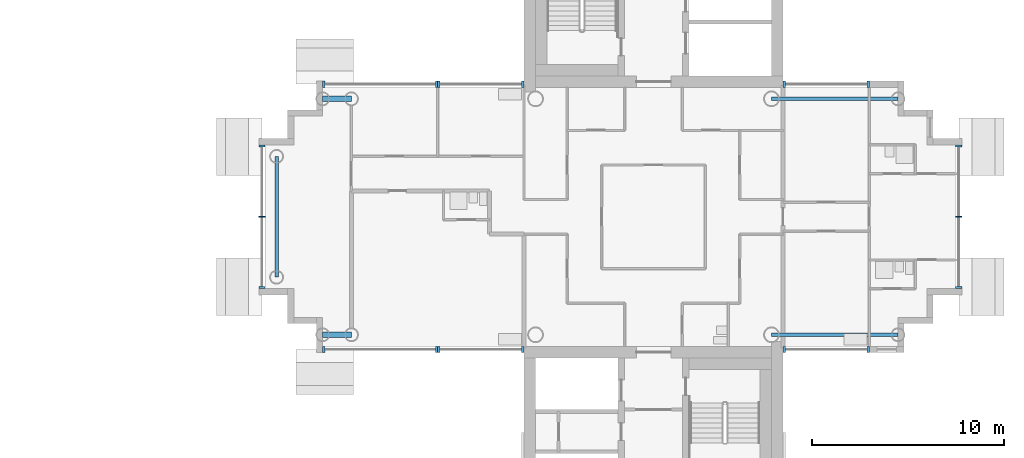
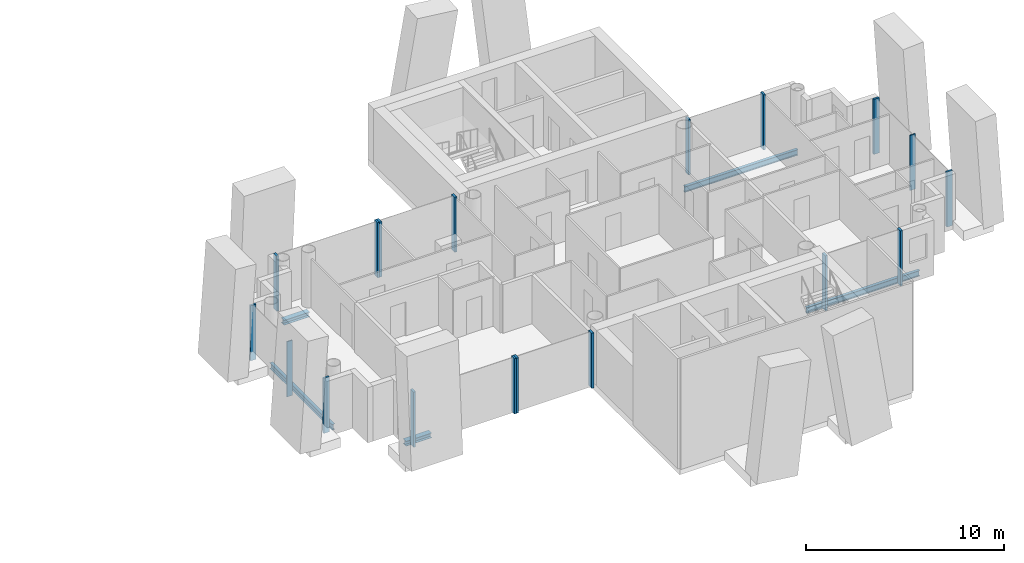
# One storey, part 4 of 19: 18 members, 5 beams, 8 elements without a shape of their own.
"""IFC4 building model written with IfcOpenShell, lengths in metres."""

from ifc_helpers import new_model, si_unit, direction, frame, origin, origin_2d, place, context, subcontext, project, spatial, rectangle, i_section, extrude, material, layer, layer_set, material_profile, profile_set, type_object, element, aggregate, save


model = new_model("IFC4")

# Units and contexts
model_context = context("Model", 3, precision=1e-05, world=origin(), true_north=direction((0.0, 1.0)))
body_context = subcontext(model_context, "Body", "Model", "MODEL_VIEW")
ifc_project = project(units=[si_unit("LENGTHUNIT", "METRE"), si_unit("AREAUNIT", "SQUARE_METRE"), si_unit("VOLUMEUNIT", "CUBIC_METRE"), si_unit("PLANEANGLEUNIT", "RADIAN"), si_unit("MASSUNIT", "GRAM", prefix="KILO")], contexts=[model_context])

# Site, building, storey
site_placement = place(None, origin())
site = spatial("IfcSite", under=ifc_project, at=site_placement, CompositionType="ELEMENT")
building_placement = place(site_placement, origin())
building = spatial("IfcBuilding", under=site, at=building_placement, Name="Ipe Terrace Towers", CompositionType="ELEMENT")
storey_placement = place(building_placement, frame((0.0, 0.0, 189.199951171875)))
storey = spatial("IfcBuildingStorey", under=building, at=storey_placement, Name="L52", CompositionType="ELEMENT", Elevation=189.199951171875)

# Beams
ifc_material_1 = material(Name="Steel S355", Category="steel")
ifc_material_profile_1 = material_profile(ifc_material_1, i_section(OverallWidth=0.300048828125, OverallDepth=0.300048828125, WebThickness=0.010009765625, FlangeThickness=0.014892578125, at=origin_2d()), Name="H-300x300x10x15")
ifc_profile_set_1 = profile_set([ifc_material_profile_1], Name="Steel S355")
beam_type_1 = type_object("IfcBeamType", Name="H03 EDGE BEAM H-300x300x10x15", PredefinedType="BEAM", material=ifc_profile_set_1)
for number, where, z_axis, x_axis, name in (
    (1, (20.25, 6.14990234375, -0.550048828125), (-1.0, 0.0, 0.0), (0.0, -1.0, 0.0), "Edge beam T2-EB-B03-B05"),
    (2, (20.25, -6.14990234375, -0.550048828125), (-1.0, 0.0, 0.0), (0.0, -1.0, 0.0), "Edge beam T2-EB-B04-B06"),
):
    element("IfcBeam", number, at=place(storey_placement, frame(where, z_axis=z_axis, x_axis=x_axis)), inside=storey, type_object=beam_type_1, Name=name, PredefinedType="BEAM", context=body_context, shape_type="SweptSolid", body=[
        extrude(i_section(OverallWidth=0.300048828125, OverallDepth=0.300048828125, WebThickness=0.010009765625, FlangeThickness=0.014892578125, at=origin_2d()), origin(), (0.0, 0.0, 1.0), 1.5),
    ])
ifc_material_2 = material(Name="Steel S355", Category="steel")
ifc_material_profile_2 = material_profile(ifc_material_2, i_section(OverallWidth=0.175048828125, OverallDepth=0.35009765625, WebThickness=0.007080078125, FlangeThickness=0.010986328125, at=origin_2d()), Name="H-350x175x7x11")
ifc_profile_set_2 = profile_set([ifc_material_profile_2], Name="Steel S355")
beam_type_2 = type_object("IfcBeamType", Name="H04 EDGE BEAM H-350x175x7x11", PredefinedType="BEAM", material=ifc_profile_set_2)
beam_placement = place(storey_placement, frame((16.35009765625, 3.14990234375, -0.574951171875), z_axis=(0.0, -1.0, 0.0), x_axis=(1.0, 0.0, 0.0)))
element("IfcBeam", 3, at=beam_placement, inside=storey, type_object=beam_type_2, Name="Edge beam T2-EB-B07-B08", PredefinedType="BEAM", context=body_context, shape_type="SweptSolid", body=[
    extrude(i_section(OverallWidth=0.175048828125, OverallDepth=0.35009765625, WebThickness=0.007080078125, FlangeThickness=0.010986328125, at=origin_2d()), origin(), (0.0, 0.0, 1.0), 6.2998046875),
])
for number, where, z_axis, x_axis, name in (
    (4, (48.75, -6.14990234375, -0.574951171875), (-1.0, 0.0, 0.0), (0.0, -1.0, 0.0), "Edge beam T2-EB-D01-E01"),
    (5, (48.75, 6.14990234375, -0.574951171875), (-1.0, 0.0, 0.0), (0.0, -1.0, 0.0), "Edge beam T2-EB-D02-E02"),
):
    element("IfcBeam", number, at=place(storey_placement, frame(where, z_axis=z_axis, x_axis=x_axis)), inside=storey, type_object=beam_type_2, Name=name, PredefinedType="BEAM", context=body_context, shape_type="SweptSolid", body=[
        extrude(i_section(OverallWidth=0.175048828125, OverallDepth=0.35009765625, WebThickness=0.007080078125, FlangeThickness=0.010986328125, at=origin_2d()), origin(), (0.0, 0.0, 1.0), 6.60009765625),
    ])

# Curtain wall, members
ifc_material_3 = material(Name="Aluminium alloy 6063-T6", Category="aluminium")
ifc_layer = layer(ifc_material_3, 0.320068359375)
ifc_layer_set = layer_set([ifc_layer], Name="TOWER UNITISED CURTAIN WALL")
curtain_wall_type = type_object("IfcCurtainWallType", Name="TOWER UNITISED CURTAIN WALL", PredefinedType="NOTDEFINED", material=ifc_layer_set)
curtain_wall_1_placement = place(storey_placement, origin())
curtain_wall_1 = element("IfcCurtainWall", 6, at=curtain_wall_1_placement, inside=storey, type_object=curtain_wall_type, Name="T2-CW-L52-02a curtain wall", PredefinedType="NOTDEFINED")
ifc_material_4 = material(Name="Aluminium alloy 6063-T6", Category="aluminium")
ifc_material_profile_3 = material_profile(ifc_material_4, rectangle(XDim=0.320068359375, YDim=0.1201171875, at=origin_2d()), Name="TOWER UNITISED CORNER MULLION 320 x 120")
ifc_profile_set_3 = profile_set([ifc_material_profile_3], Name="Aluminium alloy 6063-T6")
member_type_1 = type_object("IfcMemberType", Name="TOWER UNITISED CORNER MULLION 320 x 120", PredefinedType="MULLION", material=ifc_profile_set_3)
member_1_placement = place(storey_placement, frame((42.81005859375, -6.909912109375, -0.300048828125), z_axis=(0.0, 0.0, 1.0), x_axis=(0.0, -1.0, 0.0)))
member_1 = element("IfcMember", 7, at=member_1_placement, type_object=member_type_1, Name="T2-CW-L52-02a mullion 1", PredefinedType="MULLION", context=body_context, shape_type="SweptSolid", body=[
    extrude(rectangle(XDim=0.320068359375, YDim=0.1201171875, at=origin_2d()), origin(), (0.0, 0.0, 1.0), 3.400146484375),
])
member_2_placement = place(storey_placement, frame((47.18994140625, -6.909912109375, -0.300048828125), z_axis=(0.0, 0.0, 1.0), x_axis=(0.0, -1.0, 0.0)))
member_2 = element("IfcMember", 8, at=member_2_placement, type_object=member_type_1, Name="T2-CW-L52-02a mullion 2", PredefinedType="MULLION", context=body_context, shape_type="SweptSolid", body=[
    extrude(rectangle(XDim=0.320068359375, YDim=0.1201171875, at=origin_2d()), origin(), (0.0, 0.0, 1.0), 3.400146484375),
])
aggregate(curtain_wall_1, [member_1, member_2])

curtain_wall_2_placement = place(storey_placement, origin())
curtain_wall_2 = element("IfcCurtainWall", 9, at=curtain_wall_2_placement, inside=storey, type_object=curtain_wall_type, Name="T2-CW-L52-08a curtain wall", PredefinedType="NOTDEFINED")
member_3_placement = place(storey_placement, frame((51.909912109375, -3.68994140625, -0.300048828125), z_axis=(0.0, 0.0, 1.0), x_axis=(1.0, 0.0, 0.0)))
member_3 = element("IfcMember", 10, at=member_3_placement, type_object=member_type_1, Name="T2-CW-L52-08a mullion 1", PredefinedType="MULLION", context=body_context, shape_type="SweptSolid", body=[
    extrude(rectangle(XDim=0.320068359375, YDim=0.1201171875, at=origin_2d()), origin(), (0.0, 0.0, 1.0), 3.400146484375),
])
member_4_placement = place(storey_placement, frame((51.909912109375, 3.68994140625, -0.300048828125), z_axis=(0.0, 0.0, 1.0), x_axis=(1.0, 0.0, 0.0)))
member_4 = element("IfcMember", 11, at=member_4_placement, type_object=member_type_1, Name="T2-CW-L52-08a mullion 3", PredefinedType="MULLION", context=body_context, shape_type="SweptSolid", body=[
    extrude(rectangle(XDim=0.320068359375, YDim=0.1201171875, at=origin_2d()), origin(), (0.0, 0.0, 1.0), 3.400146484375),
])

curtain_wall_3_placement = place(storey_placement, origin())
curtain_wall_3 = element("IfcCurtainWall", 12, at=curtain_wall_3_placement, inside=storey, type_object=curtain_wall_type, Name="T2-CW-L52-14a curtain wall", PredefinedType="NOTDEFINED")
member_5_placement = place(storey_placement, frame((47.18994140625, 6.909912109375, -0.300048828125), z_axis=(0.0, 0.0, 1.0), x_axis=(0.0, 1.0, 0.0)))
member_5 = element("IfcMember", 13, at=member_5_placement, type_object=member_type_1, Name="T2-CW-L52-14a mullion 1", PredefinedType="MULLION", context=body_context, shape_type="SweptSolid", body=[
    extrude(rectangle(XDim=0.320068359375, YDim=0.1201171875, at=origin_2d()), origin(), (0.0, 0.0, 1.0), 3.400146484375),
])
member_6_placement = place(storey_placement, frame((42.81005859375, 6.909912109375, -0.300048828125), z_axis=(0.0, 0.0, 1.0), x_axis=(0.0, 1.0, 0.0)))
member_6 = element("IfcMember", 14, at=member_6_placement, type_object=member_type_1, Name="T2-CW-L52-14a mullion 2", PredefinedType="MULLION", context=body_context, shape_type="SweptSolid", body=[
    extrude(rectangle(XDim=0.320068359375, YDim=0.1201171875, at=origin_2d()), origin(), (0.0, 0.0, 1.0), 3.400146484375),
])
aggregate(curtain_wall_3, [member_5, member_6])

curtain_wall_4_placement = place(storey_placement, origin())
curtain_wall_4 = element("IfcCurtainWall", 15, at=curtain_wall_4_placement, inside=storey, type_object=curtain_wall_type, Name="T2-CW-L52-20a curtain wall", PredefinedType="NOTDEFINED")
member_7_placement = place(storey_placement, frame((29.18994140625, 6.909912109375, -0.300048828125), z_axis=(0.0, 0.0, 1.0), x_axis=(0.0, 1.0, 0.0)))
member_7 = element("IfcMember", 16, at=member_7_placement, type_object=member_type_1, Name="T2-CW-L52-20a mullion 1", PredefinedType="MULLION", context=body_context, shape_type="SweptSolid", body=[
    extrude(rectangle(XDim=0.320068359375, YDim=0.1201171875, at=origin_2d()), origin(), (0.0, 0.0, 1.0), 3.400146484375),
])
member_8_placement = place(storey_placement, frame((24.81005859375, 6.909912109375, -0.300048828125), z_axis=(0.0, 0.0, 1.0), x_axis=(0.0, 1.0, 0.0)))
member_8 = element("IfcMember", 17, at=member_8_placement, type_object=member_type_1, Name="T2-CW-L52-20a mullion 2", PredefinedType="MULLION", context=body_context, shape_type="SweptSolid", body=[
    extrude(rectangle(XDim=0.320068359375, YDim=0.1201171875, at=origin_2d()), origin(), (0.0, 0.0, 1.0), 3.400146484375),
])
aggregate(curtain_wall_4, [member_7, member_8])

curtain_wall_5_placement = place(storey_placement, origin())
curtain_wall_5 = element("IfcCurtainWall", 18, at=curtain_wall_5_placement, inside=storey, type_object=curtain_wall_type, Name="T2-CW-L52-21a curtain wall", PredefinedType="NOTDEFINED")
member_9_placement = place(storey_placement, frame((24.68994140625, 6.909912109375, -0.300048828125), z_axis=(0.0, 0.0, 1.0), x_axis=(0.0, 1.0, 0.0)))
member_9 = element("IfcMember", 19, at=member_9_placement, type_object=member_type_1, Name="T2-CW-L52-21a mullion 1", PredefinedType="MULLION", context=body_context, shape_type="SweptSolid", body=[
    extrude(rectangle(XDim=0.320068359375, YDim=0.1201171875, at=origin_2d()), origin(), (0.0, 0.0, 1.0), 3.400146484375),
])
member_10_placement = place(storey_placement, frame((18.81005859375, 6.909912109375, -0.300048828125), z_axis=(0.0, 0.0, 1.0), x_axis=(0.0, 1.0, 0.0)))
member_10 = element("IfcMember", 20, at=member_10_placement, type_object=member_type_1, Name="T2-CW-L52-21a mullion 2", PredefinedType="MULLION", context=body_context, shape_type="SweptSolid", body=[
    extrude(rectangle(XDim=0.320068359375, YDim=0.1201171875, at=origin_2d()), origin(), (0.0, 0.0, 1.0), 3.400146484375),
])
aggregate(curtain_wall_5, [member_9, member_10])

curtain_wall_6_placement = place(storey_placement, origin())
curtain_wall_6 = element("IfcCurtainWall", 21, at=curtain_wall_6_placement, inside=storey, type_object=curtain_wall_type, Name="T2-CW-L52-26a curtain wall", PredefinedType="NOTDEFINED")
member_11_placement = place(storey_placement, frame((15.590087890625, 3.68994140625, -0.300048828125), z_axis=(0.0, 0.0, 1.0), x_axis=(-1.0, 0.0, 0.0)))
member_11 = element("IfcMember", 22, at=member_11_placement, type_object=member_type_1, Name="T2-CW-L52-26a mullion 1", PredefinedType="MULLION", context=body_context, shape_type="SweptSolid", body=[
    extrude(rectangle(XDim=0.320068359375, YDim=0.1201171875, at=origin_2d()), origin(), (0.0, 0.0, 1.0), 3.400146484375),
])
member_12_placement = place(storey_placement, frame((15.590087890625, -3.68994140625, -0.300048828125), z_axis=(0.0, 0.0, 1.0), x_axis=(-1.0, 0.0, 0.0)))
member_12 = element("IfcMember", 23, at=member_12_placement, type_object=member_type_1, Name="T2-CW-L52-26a mullion 3", PredefinedType="MULLION", context=body_context, shape_type="SweptSolid", body=[
    extrude(rectangle(XDim=0.320068359375, YDim=0.1201171875, at=origin_2d()), origin(), (0.0, 0.0, 1.0), 3.400146484375),
])

curtain_wall_7_placement = place(storey_placement, origin())
curtain_wall_7 = element("IfcCurtainWall", 24, at=curtain_wall_7_placement, inside=storey, type_object=curtain_wall_type, Name="T2-CW-L52-31a curtain wall", PredefinedType="NOTDEFINED")
member_13_placement = place(storey_placement, frame((18.81005859375, -6.909912109375, -0.300048828125), z_axis=(0.0, 0.0, 1.0), x_axis=(0.0, -1.0, 0.0)))
member_13 = element("IfcMember", 25, at=member_13_placement, type_object=member_type_1, Name="T2-CW-L52-31a mullion 1", PredefinedType="MULLION", context=body_context, shape_type="SweptSolid", body=[
    extrude(rectangle(XDim=0.320068359375, YDim=0.1201171875, at=origin_2d()), origin(), (0.0, 0.0, 1.0), 3.400146484375),
])
member_14_placement = place(storey_placement, frame((24.68994140625, -6.909912109375, -0.300048828125), z_axis=(0.0, 0.0, 1.0), x_axis=(0.0, -1.0, 0.0)))
member_14 = element("IfcMember", 26, at=member_14_placement, type_object=member_type_1, Name="T2-CW-L52-31a mullion 2", PredefinedType="MULLION", context=body_context, shape_type="SweptSolid", body=[
    extrude(rectangle(XDim=0.320068359375, YDim=0.1201171875, at=origin_2d()), origin(), (0.0, 0.0, 1.0), 3.400146484375),
])
aggregate(curtain_wall_7, [member_13, member_14])

curtain_wall_8_placement = place(storey_placement, origin())
curtain_wall_8 = element("IfcCurtainWall", 27, at=curtain_wall_8_placement, inside=storey, type_object=curtain_wall_type, Name="T2-CW-L52-32a curtain wall", PredefinedType="NOTDEFINED")
member_15_placement = place(storey_placement, frame((24.81005859375, -6.909912109375, -0.300048828125), z_axis=(0.0, 0.0, 1.0), x_axis=(0.0, -1.0, 0.0)))
member_15 = element("IfcMember", 28, at=member_15_placement, type_object=member_type_1, Name="T2-CW-L52-32a mullion 1", PredefinedType="MULLION", context=body_context, shape_type="SweptSolid", body=[
    extrude(rectangle(XDim=0.320068359375, YDim=0.1201171875, at=origin_2d()), origin(), (0.0, 0.0, 1.0), 3.400146484375),
])
member_16_placement = place(storey_placement, frame((29.18994140625, -6.909912109375, -0.300048828125), z_axis=(0.0, 0.0, 1.0), x_axis=(0.0, -1.0, 0.0)))
member_16 = element("IfcMember", 29, at=member_16_placement, type_object=member_type_1, Name="T2-CW-L52-32a mullion 2", PredefinedType="MULLION", context=body_context, shape_type="SweptSolid", body=[
    extrude(rectangle(XDim=0.320068359375, YDim=0.1201171875, at=origin_2d()), origin(), (0.0, 0.0, 1.0), 3.400146484375),
])
aggregate(curtain_wall_8, [member_15, member_16])

# Member
ifc_material_5 = material(Name="Aluminium alloy 6063-T6", Category="aluminium")
ifc_material_profile_4 = material_profile(ifc_material_5, rectangle(XDim=0.320068359375, YDim=0.06494140625, at=origin_2d()), Name="TOWER UNITISED MULLION 320 x 65")
ifc_profile_set_4 = profile_set([ifc_material_profile_4], Name="Aluminium alloy 6063-T6")
member_type_2 = type_object("IfcMemberType", Name="TOWER UNITISED MULLION 320 x 65", PredefinedType="MULLION", material=ifc_profile_set_4)
member_17_placement = place(storey_placement, frame((51.909912109375, 0.0, -0.300048828125), z_axis=(0.0, 0.0, 1.0), x_axis=(1.0, 0.0, 0.0)))
member_17 = element("IfcMember", 30, at=member_17_placement, type_object=member_type_2, Name="T2-CW-L52-08a mullion 2", PredefinedType="MULLION", context=body_context, shape_type="SweptSolid", body=[
    extrude(rectangle(XDim=0.320068359375, YDim=0.06494140625, at=origin_2d()), origin(), (0.0, 0.0, 1.0), 3.400146484375),
])

aggregate(curtain_wall_2, [member_3, member_17, member_4])

member_18_placement = place(storey_placement, frame((15.590087890625, 0.0, -0.300048828125), z_axis=(0.0, 0.0, 1.0), x_axis=(-1.0, 0.0, 0.0)))
member_18 = element("IfcMember", 31, at=member_18_placement, type_object=member_type_2, Name="T2-CW-L52-26a mullion 2", PredefinedType="MULLION", context=body_context, shape_type="SweptSolid", body=[
    extrude(rectangle(XDim=0.320068359375, YDim=0.06494140625, at=origin_2d()), origin(), (0.0, 0.0, 1.0), 3.400146484375),
])

aggregate(curtain_wall_6, [member_11, member_18, member_12])

save(model, "model.ifc")
